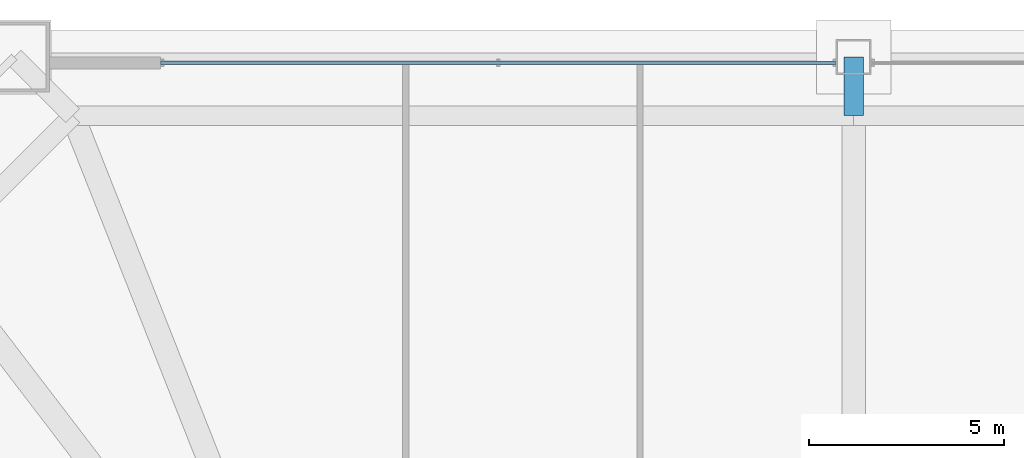
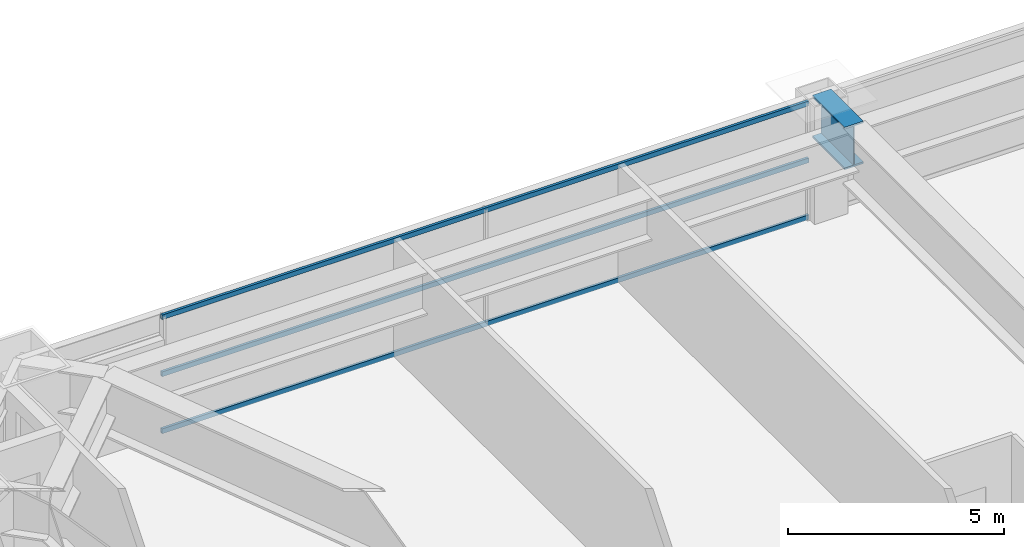
# One storey, part 29 of 44: 3 members, 1 beam, 1 element without a shape of its own.
"""IFC4 building model written with IfcOpenShell, lengths in metres."""

from ifc_helpers import new_model, si_unit, direction, frame, origin, origin_2d, place, context, subcontext, project, spatial, hollow_rectangle, i_section, extrude, source, transform, mapped, material, layer, layer_set, material_profile, profile_set, type_object, element, aggregate, save


model = new_model("IFC4")

# Units and contexts
model_context = context("Model", 3, precision=1e-05, world=origin(), true_north=direction((0.0, 1.0)))
body_context = subcontext(model_context, "Body", "Model", "MODEL_VIEW")
ifc_project = project(units=[si_unit("LENGTHUNIT", "METRE"), si_unit("AREAUNIT", "SQUARE_METRE"), si_unit("VOLUMEUNIT", "CUBIC_METRE"), si_unit("PLANEANGLEUNIT", "RADIAN"), si_unit("MASSUNIT", "GRAM", prefix="KILO"), si_unit("THERMODYNAMICTEMPERATUREUNIT", "KELVIN"), si_unit("POWERUNIT", "WATT")], contexts=[model_context])

# Site, building, storey
site_placement = place(None, origin())
site = spatial("IfcSite", under=ifc_project, at=site_placement, CompositionType="ELEMENT")
building_placement = place(site_placement, origin())
building = spatial("IfcBuilding", under=site, at=building_placement, Name="Yuzanri Waterfront Tower", CompositionType="ELEMENT")
storey_placement = place(building_placement, frame((0.0, 0.0, 82.0)))
storey = spatial("IfcBuildingStorey", under=building, at=storey_placement, Name="L21", CompositionType="ELEMENT", Elevation=82.0)

# Beam
ifc_material_1 = material(Name="Steel Q420GJC", Category="steel")
ifc_material_profile_1 = material_profile(ifc_material_1, i_section(OverallWidth=0.5, OverallDepth=1.199951171875, WebThickness=0.028076171875, FlangeThickness=0.050048828125, at=origin_2d()), Name="PG 1200x500x28x50")
ifc_profile_set_1 = profile_set([ifc_material_profile_1], Name="Steel Q420GJC")
beam_type = type_object("IfcBeamType", Name="Setback Transfer Girder Q420GJC PG 1200x500", PredefinedType="USERDEFINED", material=ifc_profile_set_1)
shared_shape_1 = source(origin(), body_context, "Body", "SweptSolid", [
    extrude(i_section(OverallWidth=0.5, OverallDepth=1.199951171875, WebThickness=0.028076171875, FlangeThickness=0.050048828125, at=origin_2d()), origin(), (0.0, 0.0, 1.0), 1.5),
])
beam_placement = place(storey_placement, frame((37.0, 49.39990234375, 2.719970703125), z_axis=(0.0, 1.0, 0.0), x_axis=(-1.0, 0.0, 0.0)))
element("IfcBeam", 1, at=beam_placement, inside=storey, type_object=beam_type, Name="L21 Setback Step Transfer N2", ObjectType="GIRDER", PredefinedType="USERDEFINED", context=body_context, shape_type="MappedRepresentation", body=[
    mapped(shared_shape_1, transform((0.0, 0.0, 0.0), scale=1.0)),
])

# Curtain wall, members
ifc_material_2 = material(Name="Anodized Architectural Bronze", Category="metal")
ifc_layer = layer(ifc_material_2, 0.159912109375)
ifc_layer_set = layer_set([ifc_layer], Name="Anodized Architectural Bronze")
curtain_wall_type = type_object("IfcCurtainWallType", Name="Anodized Bronze Hotel Lower-Tier Recessed Unitized Curtain Wall 8100", PredefinedType="NOTDEFINED", material=ifc_layer_set)
curtain_wall_placement = place(storey_placement, origin())
curtain_wall = element("IfcCurtainWall", 2, at=curtain_wall_placement, inside=storey, type_object=curtain_wall_type, Name="L21 Curtain Wall CW-L21-NL", PredefinedType="NOTDEFINED")
ifc_material_3 = material(Name="Anodized Architectural Bronze", Category="metal")
ifc_material_profile_2 = material_profile(ifc_material_3, hollow_rectangle(XDim=0.070068359375, YDim=0.135009765625, WallThickness=0.00341796875, at=origin_2d()), Name="CWT 70x135")
ifc_profile_set_2 = profile_set([ifc_material_profile_2], Name="Anodized Architectural Bronze")
member_type = type_object("IfcMemberType", Name="Anodized Bronze Standard Curtain-Wall Transom 70x135", PredefinedType="USERDEFINED", material=ifc_profile_set_2)
shared_shape_2 = source(origin(), body_context, "Body", "SweptSolid", [
    extrude(hollow_rectangle(XDim=0.070068359375, YDim=0.135009765625, WallThickness=0.00341796875, at=origin_2d()), origin(), (0.0, 0.0, 1.0), 17.300048828125),
])
member_1_placement = place(storey_placement, frame((19.25, 50.75, 0.050048828125), z_axis=(1.0, 0.0, 0.0), x_axis=(0.0, 1.0, 0.0)))
member_1 = element("IfcMember", 3, at=member_1_placement, type_object=member_type, Name="CW-L21-NL Transom 1", ObjectType="TRANSOM", PredefinedType="USERDEFINED", context=body_context, shape_type="MappedRepresentation", body=[
    mapped(shared_shape_2, transform((0.0, 0.0, 0.0), scale=1.0)),
])
member_2_placement = place(storey_placement, frame((19.25, 50.75, 1.659912109375), z_axis=(1.0, 0.0, 0.0), x_axis=(0.0, 1.0, 0.0)))
member_2 = element("IfcMember", 4, at=member_2_placement, type_object=member_type, Name="CW-L21-NL Transom 2", ObjectType="TRANSOM", PredefinedType="USERDEFINED", context=body_context, shape_type="MappedRepresentation", body=[
    mapped(shared_shape_2, transform((0.0, 0.0, 0.0), scale=1.0)),
])
member_3_placement = place(storey_placement, frame((19.25, 50.75, 3.27001953125), z_axis=(1.0, 0.0, 0.0), x_axis=(0.0, 1.0, 0.0)))
member_3 = element("IfcMember", 5, at=member_3_placement, type_object=member_type, Name="CW-L21-NL Transom 3", ObjectType="TRANSOM", PredefinedType="USERDEFINED", context=body_context, shape_type="MappedRepresentation", body=[
    mapped(shared_shape_2, transform((0.0, 0.0, 0.0), scale=1.0)),
])
aggregate(curtain_wall, [member_1, member_2, member_3])

save(model, "model.ifc")
